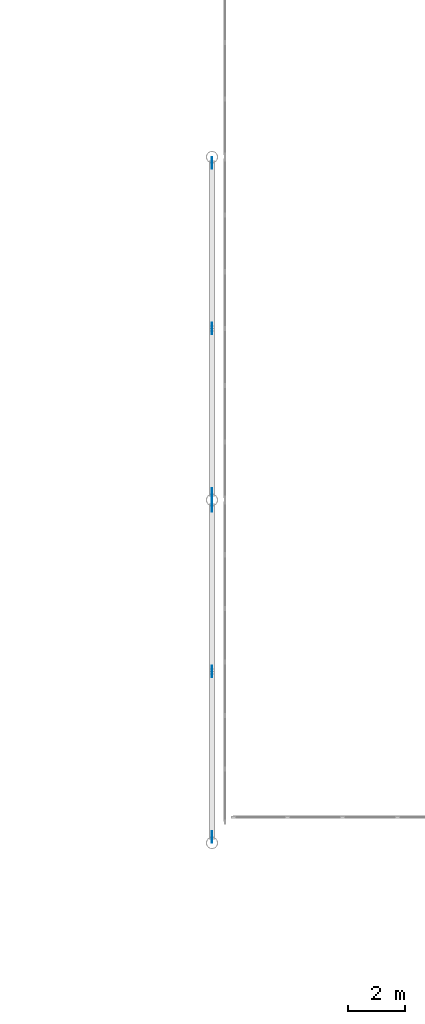
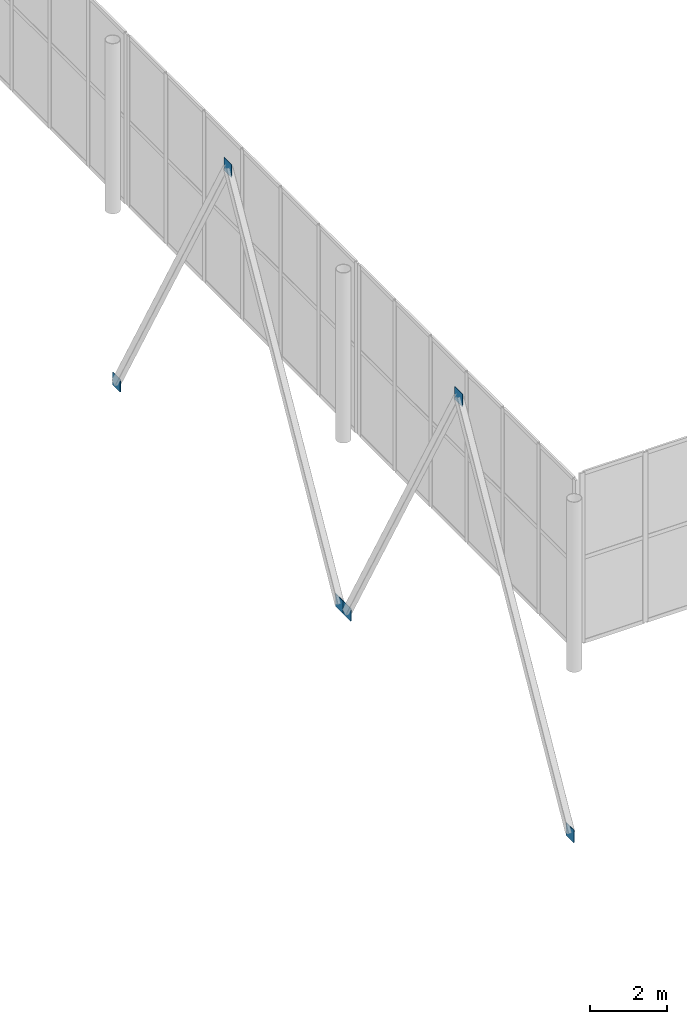
# One storey, part 140 of 170: 6 discrete accessories.
"""IFC4 building model written with IfcOpenShell, lengths in metres."""

from ifc_helpers import new_model, si_unit, direction, frame, origin, origin_2d, place, context, subcontext, project, spatial, rectangle, extrude, material, material_profile, profile_set, type_object, element, save


model = new_model("IFC4")

# Units and contexts
model_context = context("Model", 3, precision=1e-05, world=origin(), true_north=direction((0.0, 1.0)))
body_context = subcontext(model_context, "Body", "Model", "MODEL_VIEW")
ifc_project = project(units=[si_unit("LENGTHUNIT", "METRE"), si_unit("AREAUNIT", "SQUARE_METRE"), si_unit("VOLUMEUNIT", "CUBIC_METRE"), si_unit("PLANEANGLEUNIT", "RADIAN"), si_unit("MASSUNIT", "GRAM", prefix="KILO")], contexts=[model_context])

# Site, building, storey
site_placement = place(None, origin())
site = spatial("IfcSite", under=ifc_project, at=site_placement, CompositionType="ELEMENT")
building_placement = place(site_placement, origin())
building = spatial("IfcBuilding", under=site, at=building_placement, Name="Ravi Spectrum Wholesale Market", CompositionType="ELEMENT")
storey_placement = place(building_placement, frame((0.0, 0.0, 5.39990234375)))
storey = spatial("IfcBuildingStorey", under=building, at=storey_placement, Name="L01", CompositionType="ELEMENT", Elevation=5.39990234375)

# Discrete accessories
ifc_material = material(Name="Steel S355", Category="steel")
ifc_material_profile = material_profile(ifc_material, rectangle(XDim=0.39990234375, YDim=0.02001953125, at=origin_2d()))
ifc_profile_set = profile_set([ifc_material_profile], Name="Steel S355")
discrete_accessory_type = type_object("IfcDiscreteAccessoryType", Name="Gusset plate 400x400x20", PredefinedType="BRACKET", material=ifc_profile_set)
for number, where, z_axis, x_axis, name in (
    (1, (150.0, 78.203125, -5.550537109375), (0.0, 0.0, 1.0), (0.0, 1.0, 0.0), "Gusset plate"),
    (2, (150.0, 84.0, 4.775146484375), (0.0, 0.0, 1.0), (0.0, 1.0, 0.0), "Gusset plate"),
    (3, (150.0, 89.796875, -5.550537109375), (0.0, 0.0, 1.0), (0.0, -1.0, 0.0), "Gusset plate"),
    (4, (150.0, 90.203125, -5.550537109375), (0.0, 0.0, 1.0), (0.0, 1.0, 0.0), "Gusset plate"),
    (5, (150.0, 96.0, 4.775146484375), (0.0, 0.0, 1.0), (0.0, 1.0, 0.0), "Gusset plate"),
    (6, (150.0, 101.796875, -5.550537109375), (0.0, 0.0, 1.0), (0.0, -1.0, 0.0), "Gusset plate"),
):
    element("IfcDiscreteAccessory", number, at=place(storey_placement, frame(where, z_axis=z_axis, x_axis=x_axis)), inside=storey, type_object=discrete_accessory_type, Name=name, PredefinedType="BRACKET", context=body_context, shape_type="SweptSolid", body=[
        extrude(rectangle(XDim=0.39990234375, YDim=0.02001953125, at=origin_2d()), origin(), (0.0, 0.0, 1.0), 0.39990234375),
    ])

save(model, "model.ifc")
